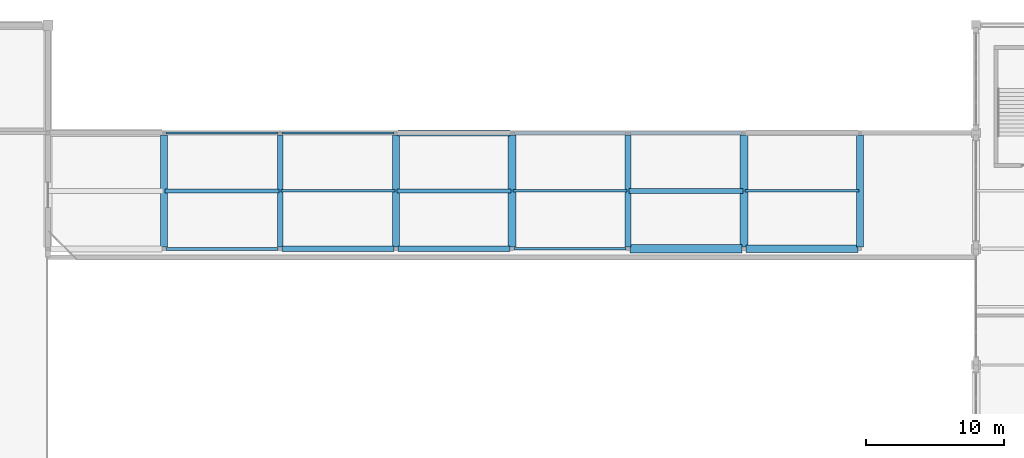
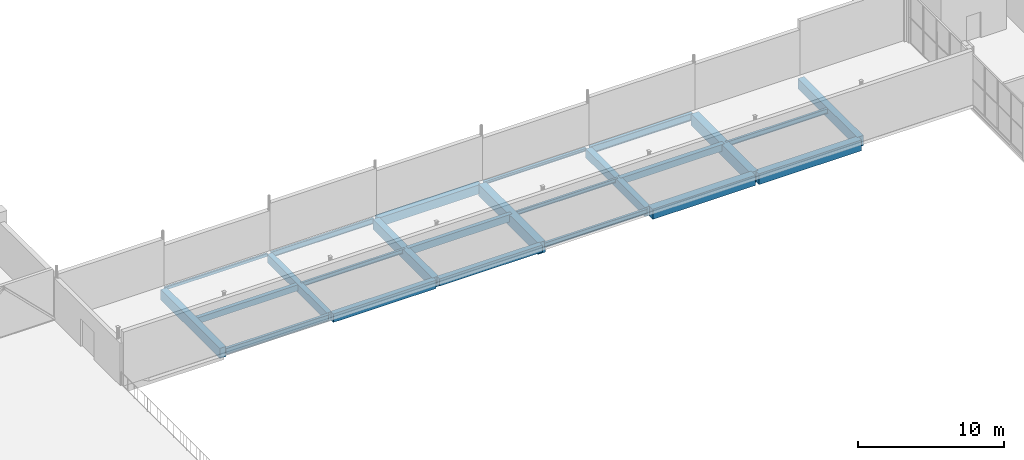
# One storey, part 38 of 75: 24 beams.
"""IFC4 building model written with IfcOpenShell, lengths in metres."""

from ifc_helpers import new_model, si_unit, derived_unit, direction, frame, origin, origin_2d, place, context, subcontext, project, spatial, rectangle, hollow_rectangle, i_section, extrude, material, material_profile, profile_set, type_object, element, save


model = new_model("IFC4")

# Units and contexts
model_context = context("Model", 3, precision=1e-05, world=origin(), true_north=direction((0.0, 1.0)))
body_context = subcontext(model_context, "Body", "Model", "MODEL_VIEW")
ifc_project = project(units=[si_unit("LENGTHUNIT", "METRE"), si_unit("AREAUNIT", "SQUARE_METRE"), si_unit("VOLUMEUNIT", "CUBIC_METRE"), si_unit("PLANEANGLEUNIT", "RADIAN"), si_unit("MASSUNIT", "GRAM", prefix="KILO"), derived_unit("THERMALTRANSMITTANCEUNIT", [(si_unit("POWERUNIT", "WATT"), 1), (si_unit("LENGTHUNIT", "METRE"), -2), (si_unit("THERMODYNAMICTEMPERATUREUNIT", "KELVIN"), -1)])], contexts=[model_context])

# Site, building, storey
site_placement = place(None, origin())
site = spatial("IfcSite", under=ifc_project, at=site_placement, CompositionType="ELEMENT")
building_placement = place(site_placement, origin())
building = spatial("IfcBuilding", under=site, at=building_placement, Name="Barrovel Congress Hotel", CompositionType="ELEMENT")
storey_placement = place(building_placement, frame((0.0, 0.0, 5.39990234375)))
storey = spatial("IfcBuildingStorey", under=building, at=storey_placement, Name="L01", CompositionType="ELEMENT", Elevation=5.39990234375)

# Beams
ifc_material_1 = material(Name="Concrete C40", Category="concrete")
ifc_material_profile_1 = material_profile(ifc_material_1, rectangle(XDim=0.300048828125, YDim=0.5, at=origin_2d()), Name="RC300x500")
ifc_profile_set_1 = profile_set([ifc_material_profile_1], Name="Concrete C40")
beam_type_1 = type_object("IfcBeamType", Name="BM-RC300x500", PredefinedType="JOIST", material=ifc_profile_set_1)
beam_1_placement = place(storey_placement, frame((67.280029296875, 100.800048828125, -0.510009765625), z_axis=(1.0, 0.0, 0.0), x_axis=(0.0, 1.0, 0.0)))
element("IfcBeam", 1, at=beam_1_placement, inside=storey, type_object=beam_type_1, Name="JST:L01:67.2:100.8", PredefinedType="JOIST", context=body_context, shape_type="SweptSolid", body=[
    extrude(rectangle(XDim=0.300048828125, YDim=0.5, at=origin_2d()), origin(), (0.0, 0.0, 1.0), 8.239990234375),
])
ifc_material_profile_2 = material_profile(ifc_material_1, rectangle(XDim=0.300048828125, YDim=0.60009765625, at=origin_2d()), Name="RC300x600")
ifc_profile_set_2 = profile_set([ifc_material_profile_2], Name="Concrete C40")
beam_type_2 = type_object("IfcBeamType", Name="BM-RC300x600", PredefinedType="JOIST", material=ifc_profile_set_2)
beam_2_placement = place(storey_placement, frame((84.080078125, 100.800048828125, -0.559814453125), z_axis=(1.0, 0.0, 0.0), x_axis=(0.0, 1.0, 0.0)))
element("IfcBeam", 2, at=beam_2_placement, inside=storey, type_object=beam_type_2, Name="JST:L01:84.0:100.8", PredefinedType="JOIST", context=body_context, shape_type="SweptSolid", body=[
    extrude(rectangle(XDim=0.300048828125, YDim=0.60009765625, at=origin_2d()), origin(), (0.0, 0.0, 1.0), 8.239990234375),
])
ifc_material_profile_3 = material_profile(ifc_material_1, rectangle(XDim=0.35009765625, YDim=0.550048828125, at=origin_2d()), Name="RC350x550")
ifc_profile_set_3 = profile_set([ifc_material_profile_3], Name="Concrete C40")
beam_type_3 = type_object("IfcBeamType", Name="BM-RC350x550", PredefinedType="JOIST", material=ifc_profile_set_3)
beam_3_placement = place(storey_placement, frame((100.8798828125, 100.800048828125, -0.534912109375), z_axis=(1.0, 0.0, 0.0), x_axis=(0.0, 1.0, 0.0)))
element("IfcBeam", 3, at=beam_3_placement, inside=storey, type_object=beam_type_3, Name="JST:L01:100.8:100.8", PredefinedType="JOIST", context=body_context, shape_type="SweptSolid", body=[
    extrude(rectangle(XDim=0.35009765625, YDim=0.550048828125, at=origin_2d()), origin(), (0.0, 0.0, 1.0), 8.240234375),
])
ifc_material_profile_4 = material_profile(ifc_material_1, rectangle(XDim=0.39990234375, YDim=0.60009765625, at=origin_2d()), Name="RC400x600")
ifc_profile_set_4 = profile_set([ifc_material_profile_4], Name="Concrete C40")
beam_type_4 = type_object("IfcBeamType", Name="BM-RC400x600", PredefinedType="BEAM", material=ifc_profile_set_4)
beam_4_placement = place(storey_placement, frame((84.136474609375, 96.60009765625, -0.559814453125), z_axis=(1.0, 0.0, 0.0), x_axis=(0.0, 1.0, 0.0)))
element("IfcBeam", 4, at=beam_4_placement, inside=storey, type_object=beam_type_4, Name="BMX:L01:96.6:84.0-92.4", PredefinedType="BEAM", context=body_context, shape_type="SweptSolid", body=[
    extrude(rectangle(XDim=0.39990234375, YDim=0.60009765625, at=origin_2d()), origin(), (0.0, 0.0, 1.0), 8.126953125),
])
ifc_material_profile_5 = material_profile(ifc_material_1, rectangle(XDim=0.39990234375, YDim=0.699951171875, at=origin_2d()), Name="RC400x700")
ifc_profile_set_5 = profile_set([ifc_material_profile_5], Name="Concrete C40")
beam_type_5 = type_object("IfcBeamType", Name="BM-RC400x700", PredefinedType="BEAM", material=ifc_profile_set_5)
for number, where, z_axis, x_axis, name in (
    (5, (75.736572265625, 96.60009765625, -0.60986328125), (1.0, 0.0, 0.0), (0.0, 1.0, 0.0), "BMX:L01:96.6:75.6-84.0"),
    (6, (75.60009765625, 96.736572265625, -0.60986328125), (0.0, 1.0, 0.0), (-1.0, 0.0, 0.0), "BMY:L01:75.6:96.6-105.0"),
):
    element("IfcBeam", number, at=place(storey_placement, frame(where, z_axis=z_axis, x_axis=x_axis)), inside=storey, type_object=beam_type_5, Name=name, PredefinedType="BEAM", context=body_context, shape_type="SweptSolid", body=[
        extrude(rectangle(XDim=0.39990234375, YDim=0.699951171875, at=origin_2d()), origin(), (0.0, 0.0, 1.0), 8.126953125),
    ])
ifc_material_profile_6 = material_profile(ifc_material_1, rectangle(XDim=0.449951171875, YDim=0.75, at=origin_2d()), Name="RC450x750")
ifc_profile_set_6 = profile_set([ifc_material_profile_6], Name="Concrete C40")
beam_type_6 = type_object("IfcBeamType", Name="BM-RC450x750", PredefinedType="BEAM", material=ifc_profile_set_6)
for number, where, z_axis, x_axis, name in (
    (7, (84.136474609375, 105.0, -0.635009765625), (1.0, 0.0, 0.0), (0.0, 1.0, 0.0), "BMX:L01:105.0:84.0-92.4"),
    (8, (100.800048828125, 96.736572265625, -0.635009765625), (0.0, 1.0, 0.0), (-1.0, 0.0, 0.0), "BMY:L01:100.8:96.6-105.0"),
):
    element("IfcBeam", number, at=place(storey_placement, frame(where, z_axis=z_axis, x_axis=x_axis)), inside=storey, type_object=beam_type_6, Name=name, PredefinedType="BEAM", context=body_context, shape_type="SweptSolid", body=[
        extrude(rectangle(XDim=0.449951171875, YDim=0.75, at=origin_2d()), origin(), (0.0, 0.0, 1.0), 8.126953125),
    ])
ifc_material_profile_7 = material_profile(ifc_material_1, rectangle(XDim=0.5, YDim=0.85009765625, at=origin_2d()), Name="RC500x850")
ifc_profile_set_7 = profile_set([ifc_material_profile_7], Name="Concrete C40")
beam_type_7 = type_object("IfcBeamType", Name="BM-RC500x850", PredefinedType="BEAM", material=ifc_profile_set_7)
for number, where, z_axis, x_axis, name in (
    (9, (67.199951171875, 96.736572265625, -0.684814453125), (0.0, 1.0, 0.0), (-1.0, 0.0, 0.0), "BMY:L01:67.2:96.6-105.0"),
    (10, (84.0, 96.736572265625, -0.684814453125), (0.0, 1.0, 0.0), (-1.0, 0.0, 0.0), "BMY:L01:84.0:96.6-105.0"),
    (11, (117.60009765625, 96.736572265625, -0.684814453125), (0.0, 1.0, 0.0), (-1.0, 0.0, 0.0), "BMY:L01:117.6:96.6-105.0"),
):
    element("IfcBeam", number, at=place(storey_placement, frame(where, z_axis=z_axis, x_axis=x_axis)), inside=storey, type_object=beam_type_7, Name=name, PredefinedType="BEAM", context=body_context, shape_type="SweptSolid", body=[
        extrude(rectangle(XDim=0.5, YDim=0.85009765625, at=origin_2d()), origin(), (0.0, 0.0, 1.0), 8.126953125),
    ])
ifc_material_profile_8 = material_profile(ifc_material_1, rectangle(XDim=0.550048828125, YDim=0.89990234375, at=origin_2d()), Name="RC550x900")
ifc_profile_set_8 = profile_set([ifc_material_profile_8], Name="Concrete C40")
beam_type_8 = type_object("IfcBeamType", Name="BM-RC550x900", PredefinedType="BEAM", material=ifc_profile_set_8)
beam_5_placement = place(storey_placement, frame((109.336669921875, 96.60009765625, -0.7099609375), z_axis=(1.0, 0.0, 0.0), x_axis=(0.0, 1.0, 0.0)))
element("IfcBeam", 12, at=beam_5_placement, inside=storey, type_object=beam_type_8, Name="BMX:L01:96.6:109.2-117.6", PredefinedType="BEAM", context=body_context, shape_type="SweptSolid", body=[
    extrude(rectangle(XDim=0.550048828125, YDim=0.89990234375, at=origin_2d()), origin(), (0.0, 0.0, 1.0), 8.126708984375),
])
ifc_material_profile_9 = material_profile(ifc_material_1, rectangle(XDim=0.60009765625, YDim=0.85009765625, at=origin_2d()), Name="RC600x850")
ifc_profile_set_9 = profile_set([ifc_material_profile_9], Name="Concrete C40")
beam_type_9 = type_object("IfcBeamType", Name="BM-RC600x850", PredefinedType="BEAM", material=ifc_profile_set_9)
beam_6_placement = place(storey_placement, frame((100.9365234375, 96.60009765625, -0.684814453125), z_axis=(1.0, 0.0, 0.0), x_axis=(0.0, 1.0, 0.0)))
element("IfcBeam", 13, at=beam_6_placement, inside=storey, type_object=beam_type_9, Name="BMX:L01:96.6:100.8-109.2", PredefinedType="BEAM", context=body_context, shape_type="SweptSolid", body=[
    extrude(rectangle(XDim=0.60009765625, YDim=0.85009765625, at=origin_2d()), origin(), (0.0, 0.0, 1.0), 8.126953125),
])
ifc_material_profile_10 = material_profile(ifc_material_1, rectangle(XDim=0.60009765625, YDim=0.949951171875, at=origin_2d()), Name="RC600x950")
ifc_profile_set_10 = profile_set([ifc_material_profile_10], Name="Concrete C40")
beam_type_10 = type_object("IfcBeamType", Name="BM-RC600x950", PredefinedType="BEAM", material=ifc_profile_set_10)
for number, where, z_axis, x_axis, name in (
    (14, (92.39990234375, 96.736572265625, -0.73486328125), (0.0, 1.0, 0.0), (-1.0, 0.0, 0.0), "BMY:L01:92.4:96.6-105.0"),
    (15, (109.199951171875, 96.736572265625, -0.73486328125), (0.0, 1.0, 0.0), (-1.0, 0.0, 0.0), "BMY:L01:109.2:96.6-105.0"),
):
    element("IfcBeam", number, at=place(storey_placement, frame(where, z_axis=z_axis, x_axis=x_axis)), inside=storey, type_object=beam_type_10, Name=name, PredefinedType="BEAM", context=body_context, shape_type="SweptSolid", body=[
        extrude(rectangle(XDim=0.60009765625, YDim=0.949951171875, at=origin_2d()), origin(), (0.0, 0.0, 1.0), 8.126953125),
    ])
ifc_material_2 = material(Name="Steel ASTM A500 Grade C", Category="steel")
ifc_material_profile_11 = material_profile(ifc_material_2, hollow_rectangle(XDim=0.15234375, YDim=0.25390625, WallThickness=0.0087890625, InnerFilletRadius=0.0087890625, OuterFilletRadius=0.017578125, at=origin_2d()), Name="HSS254x152x9.5")
ifc_profile_set_11 = profile_set([ifc_material_profile_11], Name="Steel ASTM A500 Grade C")
beam_type_11 = type_object("IfcBeamType", Name="SBM-HSS254x152x9.5", PredefinedType="SPANDREL", material=ifc_profile_set_11)
beam_7_placement = place(storey_placement, frame((67.336669921875, 105.0, -0.386962890625), z_axis=(1.0, 0.0, 0.0), x_axis=(0.0, 1.0, 0.0)))
element("IfcBeam", 16, at=beam_7_placement, inside=storey, type_object=beam_type_11, Name="BMX:L01:105.0:67.2-75.6", PredefinedType="SPANDREL", context=body_context, shape_type="SweptSolid", body=[
    extrude(hollow_rectangle(XDim=0.15234375, YDim=0.25390625, WallThickness=0.0087890625, InnerFilletRadius=0.0087890625, OuterFilletRadius=0.017578125, at=origin_2d()), origin(), (0.0, 0.0, 1.0), 8.126708984375),
])
ifc_material_3 = material(Name="Steel ASTM A992 Grade 50", Category="steel")
ifc_material_profile_12 = material_profile(ifc_material_3, i_section(OverallWidth=0.201904296875, OverallDepth=0.2470703125, WebThickness=0.00732421875, FlangeThickness=0.010986328125, FilletRadius=0.011962890625, at=origin_2d()), Name="W250x49")
ifc_profile_set_12 = profile_set([ifc_material_profile_12], Name="Steel ASTM A992 Grade 50")
beam_type_12 = type_object("IfcBeamType", Name="SBM-W250x49", PredefinedType="SPANDREL", material=ifc_profile_set_12)
beam_8_placement = place(storey_placement, frame((92.53662109375, 105.0, -0.38330078125), z_axis=(1.0, 0.0, 0.0), x_axis=(0.0, 1.0, 0.0)))
element("IfcBeam", 17, at=beam_8_placement, inside=storey, type_object=beam_type_12, Name="BMX:L01:105.0:92.4-100.8", PredefinedType="SPANDREL", context=body_context, shape_type="SweptSolid", body=[
    extrude(i_section(OverallWidth=0.201904296875, OverallDepth=0.2470703125, WebThickness=0.00732421875, FlangeThickness=0.010986328125, FilletRadius=0.011962890625, at=origin_2d()), origin(), (0.0, 0.0, 1.0), 8.126708984375),
])
ifc_material_profile_13 = material_profile(ifc_material_3, i_section(OverallWidth=0.1669921875, OverallDepth=0.31689453125, WebThickness=0.007568359375, FlangeThickness=0.01318359375, FilletRadius=0.010986328125, at=origin_2d()), Name="W310x52")
ifc_profile_set_13 = profile_set([ifc_material_profile_13], Name="Steel ASTM A992 Grade 50")
beam_type_13 = type_object("IfcBeamType", Name="SBM-W310x52", PredefinedType="JOIST", material=ifc_profile_set_13)
beam_9_placement = place(storey_placement, frame((92.47998046875, 100.800048828125, -0.41845703125), z_axis=(1.0, 0.0, 0.0), x_axis=(0.0, 1.0, 0.0)))
element("IfcBeam", 18, at=beam_9_placement, inside=storey, type_object=beam_type_13, Name="JST:L01:92.4:100.8", PredefinedType="JOIST", context=body_context, shape_type="SweptSolid", body=[
    extrude(i_section(OverallWidth=0.1669921875, OverallDepth=0.31689453125, WebThickness=0.007568359375, FlangeThickness=0.01318359375, FilletRadius=0.010986328125, at=origin_2d()), origin(), (0.0, 0.0, 1.0), 8.239990234375),
])
ifc_material_profile_14 = material_profile(ifc_material_3, i_section(OverallWidth=0.1708984375, OverallDepth=0.35205078125, WebThickness=0.0068359375, FlangeThickness=0.009765625, FilletRadius=0.011962890625, at=origin_2d()), Name="W360x44")
ifc_profile_set_14 = profile_set([ifc_material_profile_14], Name="Steel ASTM A992 Grade 50")
beam_type_14 = type_object("IfcBeamType", Name="SBM-W360x44", PredefinedType="JOIST", material=ifc_profile_set_14)
beam_10_placement = place(storey_placement, frame((75.679931640625, 100.800048828125, -0.435791015625), z_axis=(1.0, 0.0, 0.0), x_axis=(0.0, 1.0, 0.0)))
element("IfcBeam", 19, at=beam_10_placement, inside=storey, type_object=beam_type_14, Name="JST:L01:75.6:100.8", PredefinedType="JOIST", context=body_context, shape_type="SweptSolid", body=[
    extrude(i_section(OverallWidth=0.1708984375, OverallDepth=0.35205078125, WebThickness=0.0068359375, FlangeThickness=0.009765625, FilletRadius=0.011962890625, at=origin_2d()), origin(), (0.0, 0.0, 1.0), 8.239990234375),
])
ifc_material_profile_15 = material_profile(ifc_material_3, i_section(OverallWidth=0.177001953125, OverallDepth=0.403076171875, WebThickness=0.007568359375, FlangeThickness=0.010986328125, FilletRadius=0.011962890625, at=origin_2d()), Name="W410x53")
ifc_profile_set_15 = profile_set([ifc_material_profile_15], Name="Steel ASTM A992 Grade 50")
beam_type_15 = type_object("IfcBeamType", Name="SBM-W410x53", PredefinedType="JOIST", material=ifc_profile_set_15)
beam_11_placement = place(storey_placement, frame((109.280029296875, 100.800048828125, -0.46142578125), z_axis=(1.0, 0.0, 0.0), x_axis=(0.0, 1.0, 0.0)))
element("IfcBeam", 20, at=beam_11_placement, inside=storey, type_object=beam_type_15, Name="JST:L01:109.2:100.8", PredefinedType="JOIST", context=body_context, shape_type="SweptSolid", body=[
    extrude(i_section(OverallWidth=0.177001953125, OverallDepth=0.403076171875, WebThickness=0.007568359375, FlangeThickness=0.010986328125, FilletRadius=0.011962890625, at=origin_2d()), origin(), (0.0, 0.0, 1.0), 8.239990234375),
])
ifc_material_profile_16 = material_profile(ifc_material_3, i_section(OverallWidth=0.178955078125, OverallDepth=0.409912109375, WebThickness=0.0087890625, FlangeThickness=0.014404296875, FilletRadius=0.011962890625, at=origin_2d()), Name="W410x67")
ifc_profile_set_16 = profile_set([ifc_material_profile_16], Name="Steel ASTM A992 Grade 50")
beam_type_16 = type_object("IfcBeamType", Name="SBM-W410x67", PredefinedType="BEAM", material=ifc_profile_set_16)
beam_12_placement = place(storey_placement, frame((92.53662109375, 96.60009765625, -0.46484375), z_axis=(1.0, 0.0, 0.0), x_axis=(0.0, 1.0, 0.0)))
element("IfcBeam", 21, at=beam_12_placement, inside=storey, type_object=beam_type_16, Name="BMX:L01:96.6:92.4-100.8", PredefinedType="BEAM", context=body_context, shape_type="SweptSolid", body=[
    extrude(i_section(OverallWidth=0.178955078125, OverallDepth=0.409912109375, WebThickness=0.0087890625, FlangeThickness=0.014404296875, FilletRadius=0.011962890625, at=origin_2d()), origin(), (0.0, 0.0, 1.0), 8.126708984375),
])
ifc_material_profile_17 = material_profile(ifc_material_3, i_section(OverallWidth=0.154052734375, OverallDepth=0.458984375, WebThickness=0.009033203125, FlangeThickness=0.015380859375, FilletRadius=0.012939453125, at=origin_2d()), Name="W460x68")
ifc_profile_set_17 = profile_set([ifc_material_profile_17], Name="Steel ASTM A992 Grade 50")
beam_type_17 = type_object("IfcBeamType", Name="SBM-W460x68", PredefinedType="BEAM", material=ifc_profile_set_17)
beam_13_placement = place(storey_placement, frame((75.736572265625, 105.0, -0.489501953125), z_axis=(1.0, 0.0, 0.0), x_axis=(0.0, 1.0, 0.0)))
element("IfcBeam", 22, at=beam_13_placement, inside=storey, type_object=beam_type_17, Name="BMX:L01:105.0:75.6-84.0", PredefinedType="BEAM", context=body_context, shape_type="SweptSolid", body=[
    extrude(i_section(OverallWidth=0.154052734375, OverallDepth=0.458984375, WebThickness=0.009033203125, FlangeThickness=0.015380859375, FilletRadius=0.012939453125, at=origin_2d()), origin(), (0.0, 0.0, 1.0), 8.126953125),
])
ifc_material_profile_18 = material_profile(ifc_material_3, i_section(OverallWidth=0.208984375, OverallDepth=0.529052734375, WebThickness=0.009765625, FlangeThickness=0.013671875, FilletRadius=0.013916015625, at=origin_2d()), Name="W530x74")
ifc_profile_set_18 = profile_set([ifc_material_profile_18], Name="Steel ASTM A992 Grade 50")
beam_type_18 = type_object("IfcBeamType", Name="SBM-W530x74", PredefinedType="BEAM", material=ifc_profile_set_18)
beam_14_placement = place(storey_placement, frame((67.336669921875, 96.60009765625, -0.5244140625), z_axis=(1.0, 0.0, 0.0), x_axis=(0.0, 1.0, 0.0)))
element("IfcBeam", 23, at=beam_14_placement, inside=storey, type_object=beam_type_18, Name="BMX:L01:96.6:67.2-75.6", PredefinedType="BEAM", context=body_context, shape_type="SweptSolid", body=[
    extrude(i_section(OverallWidth=0.208984375, OverallDepth=0.529052734375, WebThickness=0.009765625, FlangeThickness=0.013671875, FilletRadius=0.013916015625, at=origin_2d()), origin(), (0.0, 0.0, 1.0), 8.126708984375),
])
ifc_material_profile_19 = material_profile(ifc_material_3, i_section(OverallWidth=0.22802734375, OverallDepth=0.60302734375, WebThickness=0.010498046875, FlangeThickness=0.014892578125, FilletRadius=0.014892578125, at=origin_2d()), Name="W610x101")
ifc_profile_set_19 = profile_set([ifc_material_profile_19], Name="Steel ASTM A992 Grade 50")
beam_type_19 = type_object("IfcBeamType", Name="SBM-W610x101", PredefinedType="BEAM", material=ifc_profile_set_19)
beam_15_placement = place(storey_placement, frame((100.9365234375, 105.0, -0.5615234375), z_axis=(1.0, 0.0, 0.0), x_axis=(0.0, 1.0, 0.0)))
element("IfcBeam", 24, at=beam_15_placement, inside=storey, type_object=beam_type_19, Name="BMX:L01:105.0:100.8-109.2", PredefinedType="BEAM", context=body_context, shape_type="SweptSolid", body=[
    extrude(i_section(OverallWidth=0.22802734375, OverallDepth=0.60302734375, WebThickness=0.010498046875, FlangeThickness=0.014892578125, FilletRadius=0.014892578125, at=origin_2d()), origin(), (0.0, 0.0, 1.0), 8.126953125),
])

save(model, "model.ifc")
